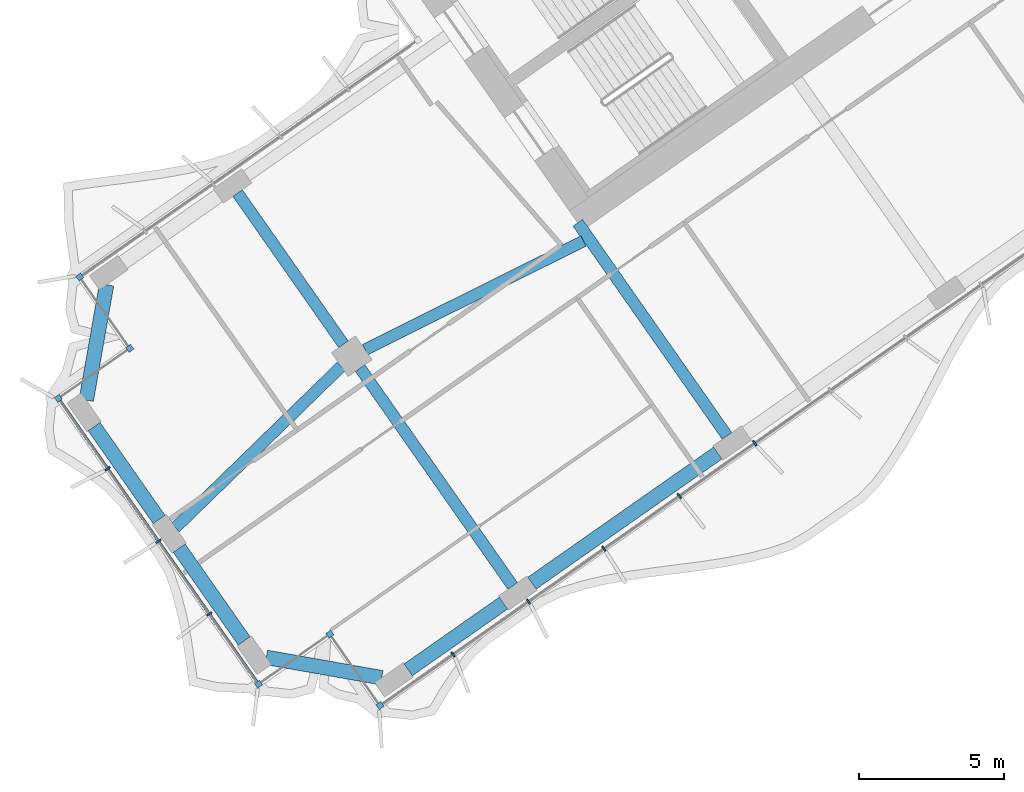
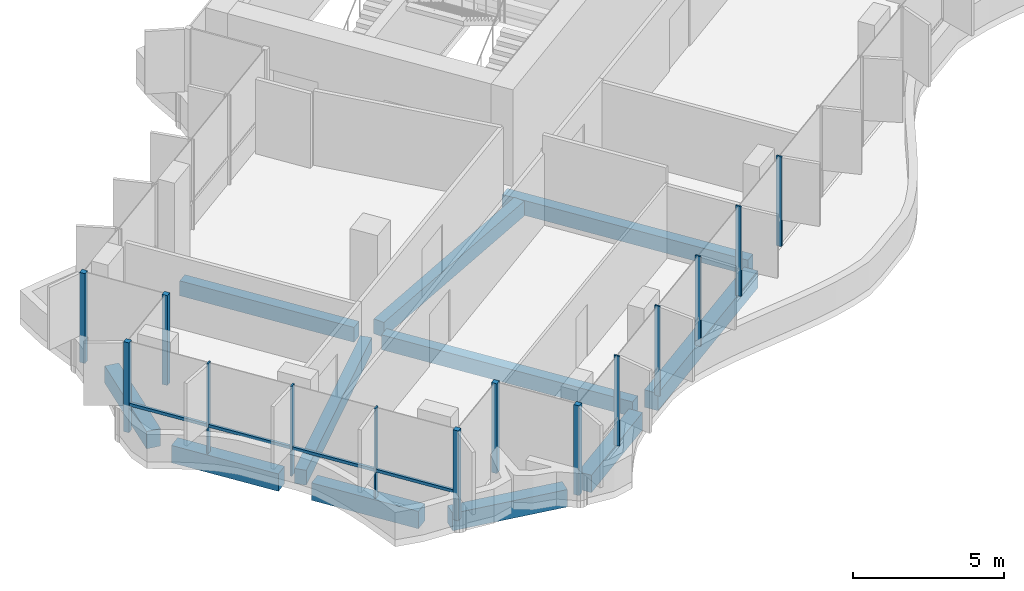
# One storey, part 2 of 21: 15 members, 11 beams, 1 element without a shape of its own.
"""IFC4 building model written with IfcOpenShell, lengths in metres."""

from ifc_helpers import new_model, si_unit, direction, frame, origin, origin_2d, place, context, subcontext, project, spatial, rectangle, extrude, material, material_profile, profile_set, type_object, element, aggregate, save


model = new_model("IFC4")

# Units and contexts
model_context = context("Model", 3, precision=1e-05, world=origin(), true_north=direction((0.0, 1.0)))
body_context = subcontext(model_context, "Body", "Model", "MODEL_VIEW")
ifc_project = project(units=[si_unit("LENGTHUNIT", "METRE"), si_unit("AREAUNIT", "SQUARE_METRE"), si_unit("VOLUMEUNIT", "CUBIC_METRE"), si_unit("PLANEANGLEUNIT", "RADIAN"), si_unit("MASSUNIT", "GRAM", prefix="KILO")], contexts=[model_context])

# Site, building, storey
site_placement = place(None, origin())
site = spatial("IfcSite", under=ifc_project, at=site_placement, CompositionType="ELEMENT")
building_placement = place(site_placement, origin())
building = spatial("IfcBuilding", under=site, at=building_placement, Name="Tel Ilan Convention Tower", CompositionType="ELEMENT")
storey_placement = place(building_placement, frame((0.0, 0.0, 151.5)))
storey = spatial("IfcBuildingStorey", under=building, at=storey_placement, Name="L34", CompositionType="ELEMENT", Elevation=151.5)

# Beams
ifc_material_1 = material(Name="Concrete C40/50", Category="concrete")
ifc_material_profile_1 = material_profile(ifc_material_1, rectangle(XDim=0.39990234375, YDim=0.60009765625, at=origin_2d()), Name="RC 400x600")
ifc_profile_set_1 = profile_set([ifc_material_profile_1], Name="Concrete C40/50")
beam_type_1 = type_object("IfcBeamType", Name="Beam RC 400x600 Concrete C40/50", PredefinedType="BEAM", material=ifc_profile_set_1)
beam_1_placement = place(storey_placement, frame((-16.58203125, -23.391357421875, -0.580078125), z_axis=(-0.573584999642, 0.819146048141, 0.0), x_axis=(-0.819146048141, -0.573584999642, 0.0)))
element("IfcBeam", 1, at=beam_1_placement, inside=storey, type_object=beam_type_1, Name="L34 beam W-W-F3-core", PredefinedType="BEAM", context=body_context, shape_type="SweptSolid", body=[
    extrude(rectangle(XDim=0.39990234375, YDim=0.60009765625, at=origin_2d()), origin(), (0.0, 0.0, 1.0), 8.949951171875),
])
beam_2_placement = place(storey_placement, frame((-21.52099609375, -16.686279296875, -0.580078125), z_axis=(-0.895402365524, -0.445257907076, 0.0), x_axis=(0.445257907076, -0.895402365524, 0.0)))
element("IfcBeam", 2, at=beam_2_placement, inside=storey, type_object=beam_type_1, Name="L34 beam W-core-W-M4", PredefinedType="BEAM", context=body_context, shape_type="SweptSolid", body=[
    extrude(rectangle(XDim=0.39990234375, YDim=0.60009765625, at=origin_2d()), origin(), (0.0, 0.0, 1.0), 8.3935546875),
])
beam_3_placement = place(storey_placement, frame((-29.8525390625, -21.001708984375, -0.580078125), z_axis=(-0.716983836762, -0.697089791793, 0.0), x_axis=(0.697089791793, -0.716983836762, 0.0)))
element("IfcBeam", 3, at=beam_3_placement, inside=storey, type_object=beam_type_1, Name="L34 beam W-W-M4-end", PredefinedType="BEAM", context=body_context, shape_type="SweptSolid", body=[
    extrude(rectangle(XDim=0.39990234375, YDim=0.60009765625, at=origin_2d()), origin(), (0.0, 0.0, 1.0), 7.952392578125),
])
beam_4_placement = place(storey_placement, frame((-29.20263671875, -21.058349609375, -0.580078125), z_axis=(0.573557249804, -0.819165478519, 0.0), x_axis=(0.819165478519, 0.573557249804, 0.0)))
element("IfcBeam", 4, at=beam_4_placement, inside=storey, type_object=beam_type_1, Name="L34 beam W-W-M4-W-F4", PredefinedType="BEAM", context=body_context, shape_type="SweptSolid", body=[
    extrude(rectangle(XDim=0.39990234375, YDim=0.60009765625, at=origin_2d()), origin(), (0.0, 0.0, 1.0), 9.14990234375),
])
beam_5_placement = place(storey_placement, frame((-29.7763671875, -20.2392578125, -0.580078125), z_axis=(-0.573560394383, 0.819163276762, 0.0), x_axis=(-0.819163276762, -0.573560394383, 0.0)))
element("IfcBeam", 5, at=beam_5_placement, inside=storey, type_object=beam_type_1, Name="L34 beam W-W-M4-W-B4", PredefinedType="BEAM", context=body_context, shape_type="SweptSolid", body=[
    extrude(rectangle(XDim=0.39990234375, YDim=0.60009765625, at=origin_2d()), origin(), (0.0, 0.0, 1.0), 6.349853515625),
])
ifc_material_2 = material(Name="Concrete C40/50", Category="concrete")
ifc_material_profile_2 = material_profile(ifc_material_2, rectangle(XDim=0.5, YDim=0.699951171875, at=origin_2d()), Name="RC 500x700")
ifc_profile_set_2 = profile_set([ifc_material_profile_2], Name="Concrete C40/50")
beam_type_2 = type_object("IfcBeamType", Name="Beam RC 500x700 Concrete C40/50", PredefinedType="BEAM", material=ifc_profile_set_2)
beam_6_placement = place(storey_placement, frame((-16.901611328125, -23.981201171875, -0.6298828125), z_axis=(-0.819153977895, -0.573573674866, 0.0), x_axis=(0.573573674866, -0.819153977895, 0.0)))
element("IfcBeam", 6, at=beam_6_placement, inside=storey, type_object=beam_type_2, Name="L34 beam W-W-F3-W-F4", PredefinedType="BEAM", context=body_context, shape_type="SweptSolid", body=[
    extrude(rectangle(XDim=0.5, YDim=0.699951171875, at=origin_2d()), origin(), (0.0, 0.0, 1.0), 7.800048828125),
])
beam_7_placement = place(storey_placement, frame((-24.27392578125, -29.1435546875, -0.6298828125), z_axis=(-0.819165963305, -0.573556557423, 0.0), x_axis=(0.573556557423, -0.819165963305, 0.0)))
element("IfcBeam", 7, at=beam_7_placement, inside=storey, type_object=beam_type_2, Name="L34 beam W-W-F4-W-FC", PredefinedType="BEAM", context=body_context, shape_type="SweptSolid", body=[
    extrude(rectangle(XDim=0.5, YDim=0.699951171875, at=origin_2d()), origin(), (0.0, 0.0, 1.0), 4.0),
])
beam_8_placement = place(storey_placement, frame((-28.459716796875, -31.708251953125, -0.6298828125), z_axis=(-0.984806721117, 0.173654029734, 0.0), x_axis=(-0.173654029734, -0.984806721117, 0.0)))
element("IfcBeam", 8, at=beam_8_placement, inside=storey, type_object=beam_type_2, Name="L34 beam W-W-FC-W-E1", PredefinedType="BEAM", context=body_context, shape_type="SweptSolid", body=[
    extrude(rectangle(XDim=0.5, YDim=0.699951171875, at=origin_2d()), origin(), (0.0, 0.0, 1.0), 4.03076171875),
])
for number, where, z_axis, x_axis, name in (
    (9, (-33.19091796875, -30.443115234375, -0.6298828125), (-0.573609383536, 0.819128973434, 0.0), (-0.819128973434, -0.573609383536, 0.0), "L34 beam W-W-E1-W-E2"),
    (10, (-36.1162109375, -26.265380859375, -0.6298828125), (-0.573609383536, 0.819128973434, 0.0), (-0.819128973434, -0.573609383536, 0.0), "L34 beam W-W-E2-W-E3"),
):
    element("IfcBeam", number, at=place(storey_placement, frame(where, z_axis=z_axis, x_axis=x_axis)), inside=storey, type_object=beam_type_2, Name=name, PredefinedType="BEAM", context=body_context, shape_type="SweptSolid", body=[
        extrude(rectangle(XDim=0.5, YDim=0.699951171875, at=origin_2d()), origin(), (0.0, 0.0, 1.0), 3.89990234375),
    ])
beam_9_placement = place(storey_placement, frame((-38.623779296875, -22.16162109375, -0.6298828125), z_axis=(0.173654029734, 0.984806721117, 0.0), x_axis=(-0.984806721117, 0.173654029734, 0.0)))
element("IfcBeam", 11, at=beam_9_placement, inside=storey, type_object=beam_type_2, Name="L34 beam W-W-E3-W-BC", PredefinedType="BEAM", context=body_context, shape_type="SweptSolid", body=[
    extrude(rectangle(XDim=0.5, YDim=0.699951171875, at=origin_2d()), origin(), (0.0, 0.0, 1.0), 4.03076171875),
])

# Curtain wall, members
ifc_material_3 = material(Name="Aluminium, bronze anodised", Category="aluminium")
curtain_wall_type = type_object("IfcCurtainWallType", Name="CW4 STICK CURTAIN WALL, OFFICE TINTED GLASS", PredefinedType="NOTDEFINED", material=ifc_material_3)
curtain_wall_placement = place(storey_placement, origin())
curtain_wall = element("IfcCurtainWall", 12, at=curtain_wall_placement, inside=storey, type_object=curtain_wall_type, Name="Curtain wall CW4-27.02", PredefinedType="NOTDEFINED")
ifc_material_4 = material(Name="Aluminium, bronze anodised", Category="aluminium")
ifc_material_profile_3 = material_profile(ifc_material_4, rectangle(XDim=0.199951171875, YDim=0.199951171875, at=origin_2d()), Name="CW CORNER MULLION 200x200")
ifc_profile_set_3 = profile_set([ifc_material_profile_3], Name="Aluminium, bronze anodised")
member_type_1 = type_object("IfcMemberType", Name="CW CORNER MULLION 200x200", PredefinedType="MULLION", material=ifc_profile_set_3)
member_1_placement = place(storey_placement, frame((-38.845458984375, -17.922119140625, 0.0), z_axis=(0.0, 0.0, 1.0), x_axis=(-0.819152044289, -0.573576436351, 0.0)))
member_1 = element("IfcMember", 13, at=member_1_placement, type_object=member_type_1, Name="Corner mullion", PredefinedType="MULLION", context=body_context, shape_type="SweptSolid", body=[
    extrude(rectangle(XDim=0.199951171875, YDim=0.199951171875, at=origin_2d()), origin(), (0.0, 0.0, 1.0), 3.6201171875),
])
member_2_placement = place(storey_placement, frame((-37.124755859375, -20.37939453125, 0.0), z_axis=(0.0, 0.0, 1.0), x_axis=(0.573576436351, -0.819152044289, 0.0)))
member_2 = element("IfcMember", 14, at=member_2_placement, type_object=member_type_1, Name="Corner mullion", PredefinedType="MULLION", context=body_context, shape_type="SweptSolid", body=[
    extrude(rectangle(XDim=0.199951171875, YDim=0.199951171875, at=origin_2d()), origin(), (0.0, 0.0, 1.0), 3.6201171875),
])
member_3_placement = place(storey_placement, frame((-39.582275390625, -22.10009765625, 0.0), z_axis=(0.0, 0.0, 1.0), x_axis=(-0.819152044289, -0.573576436351, 0.0)))
member_3 = element("IfcMember", 15, at=member_3_placement, type_object=member_type_1, Name="Corner mullion", PredefinedType="MULLION", context=body_context, shape_type="SweptSolid", body=[
    extrude(rectangle(XDim=0.199951171875, YDim=0.199951171875, at=origin_2d()), origin(), (0.0, 0.0, 1.0), 3.6201171875),
])
member_4_placement = place(storey_placement, frame((-32.69921875, -31.929931640625, 0.0), z_axis=(0.0, 0.0, 1.0), x_axis=(0.573576436351, -0.819152044289, 0.0)))
member_4 = element("IfcMember", 16, at=member_4_placement, type_object=member_type_1, Name="Corner mullion", PredefinedType="MULLION", context=body_context, shape_type="SweptSolid", body=[
    extrude(rectangle(XDim=0.199951171875, YDim=0.199951171875, at=origin_2d()), origin(), (0.0, 0.0, 1.0), 3.6201171875),
])
member_5_placement = place(storey_placement, frame((-30.241943359375, -30.209228515625, 0.0), z_axis=(0.0, 0.0, 1.0), x_axis=(0.819152044289, 0.573576436351, 0.0)))
member_5 = element("IfcMember", 17, at=member_5_placement, type_object=member_type_1, Name="Corner mullion", PredefinedType="MULLION", context=body_context, shape_type="SweptSolid", body=[
    extrude(rectangle(XDim=0.199951171875, YDim=0.199951171875, at=origin_2d()), origin(), (0.0, 0.0, 1.0), 3.6201171875),
])
member_6_placement = place(storey_placement, frame((-28.52099609375, -32.666748046875, 0.0), z_axis=(0.0, 0.0, 1.0), x_axis=(0.573576436351, -0.819152044289, 0.0)))
member_6 = element("IfcMember", 18, at=member_6_placement, type_object=member_type_1, Name="Corner mullion", PredefinedType="MULLION", context=body_context, shape_type="SweptSolid", body=[
    extrude(rectangle(XDim=0.199951171875, YDim=0.199951171875, at=origin_2d()), origin(), (0.0, 0.0, 1.0), 3.6201171875),
])
ifc_material_5 = material(Name="Aluminium, bronze anodised", Category="aluminium")
ifc_material_profile_4 = material_profile(ifc_material_5, rectangle(XDim=0.06005859375, YDim=0.199951171875, at=origin_2d()), Name="CW MULLION 60x200")
ifc_profile_set_4 = profile_set([ifc_material_profile_4], Name="Aluminium, bronze anodised")
member_type_2 = type_object("IfcMemberType", Name="CW MULLION 60x200", PredefinedType="MULLION", material=ifc_profile_set_4)
member_7_placement = place(storey_placement, frame((-37.89013671875, -24.5166015625, 0.0), z_axis=(0.0, 0.0, 1.0), x_axis=(0.573576436351, -0.819152044289, 0.0)))
member_7 = element("IfcMember", 19, at=member_7_placement, type_object=member_type_2, Name="Mullion", PredefinedType="MULLION", context=body_context, shape_type="SweptSolid", body=[
    extrude(rectangle(XDim=0.06005859375, YDim=0.199951171875, at=origin_2d()), origin(), (0.0, 0.0, 1.0), 3.6201171875),
])
member_8_placement = place(storey_placement, frame((-36.140869140625, -27.01513671875, 0.0), z_axis=(0.0, 0.0, 1.0), x_axis=(0.573576436351, -0.819152044289, 0.0)))
member_8 = element("IfcMember", 20, at=member_8_placement, type_object=member_type_2, Name="Mullion", PredefinedType="MULLION", context=body_context, shape_type="SweptSolid", body=[
    extrude(rectangle(XDim=0.06005859375, YDim=0.199951171875, at=origin_2d()), origin(), (0.0, 0.0, 1.0), 3.6201171875),
])
member_9_placement = place(storey_placement, frame((-34.391357421875, -29.513427734375, 0.0), z_axis=(0.0, 0.0, 1.0), x_axis=(0.573576436351, -0.819152044289, 0.0)))
member_9 = element("IfcMember", 21, at=member_9_placement, type_object=member_type_2, Name="Mullion", PredefinedType="MULLION", context=body_context, shape_type="SweptSolid", body=[
    extrude(rectangle(XDim=0.06005859375, YDim=0.199951171875, at=origin_2d()), origin(), (0.0, 0.0, 1.0), 3.6201171875),
])
member_10_placement = place(storey_placement, frame((-26.008056640625, -30.906982421875, 0.0), z_axis=(0.0, 0.0, 1.0), x_axis=(0.819152044289, 0.573576436351, 0.0)))
member_10 = element("IfcMember", 22, at=member_10_placement, type_object=member_type_2, Name="Mullion", PredefinedType="MULLION", context=body_context, shape_type="SweptSolid", body=[
    extrude(rectangle(XDim=0.06005859375, YDim=0.199951171875, at=origin_2d()), origin(), (0.0, 0.0, 1.0), 3.6201171875),
])
member_11_placement = place(storey_placement, frame((-23.412841796875, -29.08984375, 0.0), z_axis=(0.0, 0.0, 1.0), x_axis=(0.819152044289, 0.573576436351, 0.0)))
member_11 = element("IfcMember", 23, at=member_11_placement, type_object=member_type_2, Name="Mullion", PredefinedType="MULLION", context=body_context, shape_type="SweptSolid", body=[
    extrude(rectangle(XDim=0.06005859375, YDim=0.199951171875, at=origin_2d()), origin(), (0.0, 0.0, 1.0), 3.6201171875),
])
member_12_placement = place(storey_placement, frame((-20.81787109375, -27.27294921875, 0.0), z_axis=(0.0, 0.0, 1.0), x_axis=(0.819152044289, 0.573576436351, 0.0)))
member_12 = element("IfcMember", 24, at=member_12_placement, type_object=member_type_2, Name="Mullion", PredefinedType="MULLION", context=body_context, shape_type="SweptSolid", body=[
    extrude(rectangle(XDim=0.06005859375, YDim=0.199951171875, at=origin_2d()), origin(), (0.0, 0.0, 1.0), 3.6201171875),
])
member_13_placement = place(storey_placement, frame((-18.222900390625, -25.455810546875, 0.0), z_axis=(0.0, 0.0, 1.0), x_axis=(0.819152044289, 0.573576436351, 0.0)))
member_13 = element("IfcMember", 25, at=member_13_placement, type_object=member_type_2, Name="Mullion", PredefinedType="MULLION", context=body_context, shape_type="SweptSolid", body=[
    extrude(rectangle(XDim=0.06005859375, YDim=0.199951171875, at=origin_2d()), origin(), (0.0, 0.0, 1.0), 3.6201171875),
])
member_14_placement = place(storey_placement, frame((-15.627685546875, -23.638671875, 0.0), z_axis=(0.0, 0.0, 1.0), x_axis=(0.819152044289, 0.573576436351, 0.0)))
member_14 = element("IfcMember", 26, at=member_14_placement, type_object=member_type_2, Name="Mullion", PredefinedType="MULLION", context=body_context, shape_type="SweptSolid", body=[
    extrude(rectangle(XDim=0.06005859375, YDim=0.199951171875, at=origin_2d()), origin(), (0.0, 0.0, 1.0), 3.6201171875),
])
ifc_material_6 = material(Name="Aluminium, bronze anodised", Category="aluminium")
ifc_material_profile_5 = material_profile(ifc_material_6, rectangle(XDim=0.10009765625, YDim=0.1201171875, at=origin_2d()), Name="CW TRANSOM 100x120")
ifc_profile_set_5 = profile_set([ifc_material_profile_5], Name="Aluminium, bronze anodised")
member_type_3 = type_object("IfcMemberType", Name="CW TRANSOM 100x120", PredefinedType="USERDEFINED", material=ifc_profile_set_5)
member_15_placement = place(storey_placement, frame((-39.52490234375, -22.18212890625, 1.10009765625), z_axis=(0.573581755582, -0.819148319698, 0.0), x_axis=(0.819148319698, 0.573581755582, 0.0)))
member_15 = element("IfcMember", 27, at=member_15_placement, type_object=member_type_3, Name="Transom", ObjectType="TRANSOM", PredefinedType="USERDEFINED", context=body_context, shape_type="SweptSolid", body=[
    extrude(rectangle(XDim=0.10009765625, YDim=0.1201171875, at=origin_2d()), origin(), (0.0, 0.0, 1.0), 11.800048828125),
])
aggregate(curtain_wall, [member_1, member_2, member_3, member_7, member_8, member_9, member_4, member_15, member_5, member_6, member_10, member_11, member_12, member_13, member_14])

save(model, "model.ifc")
